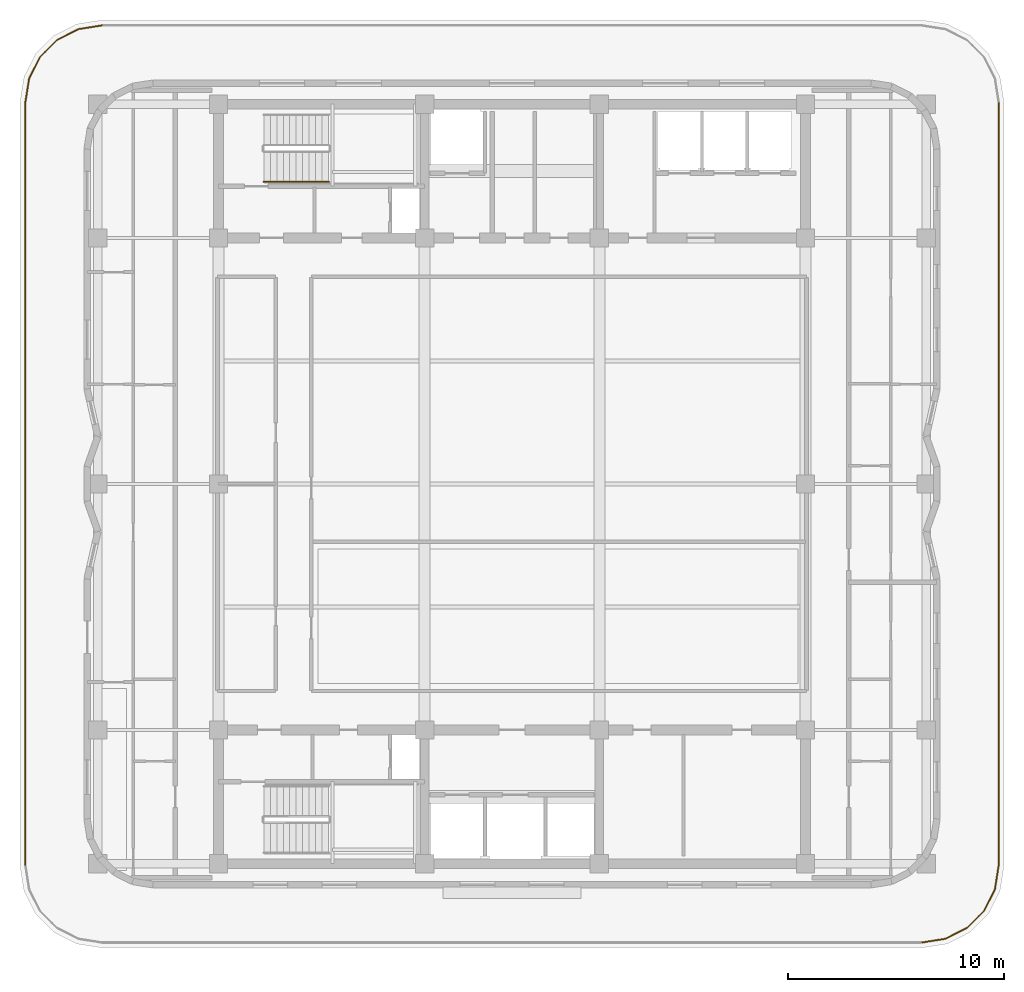
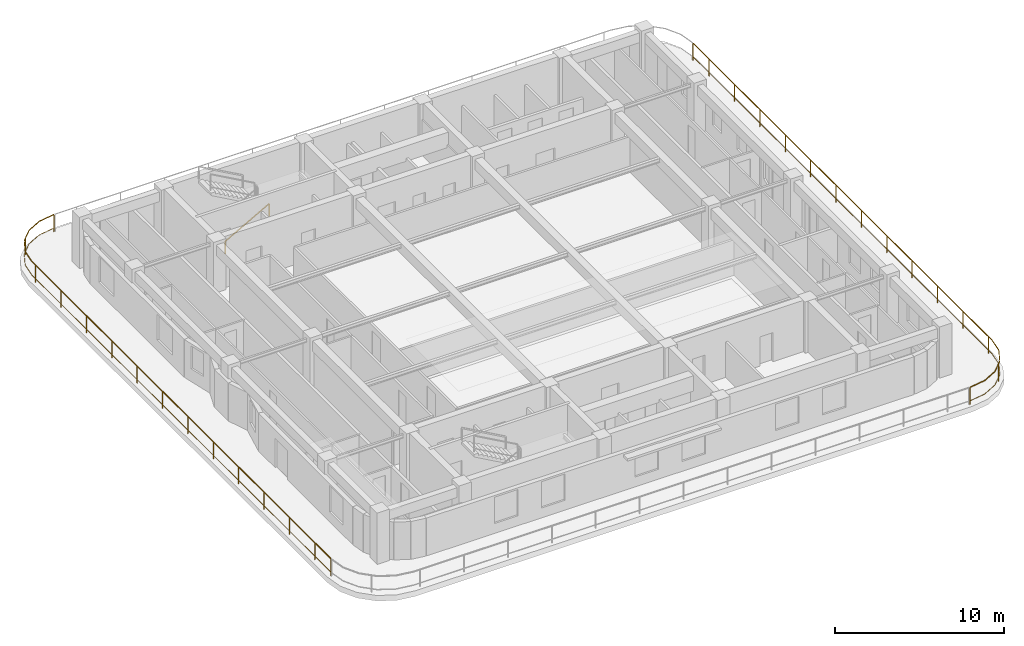
# One storey, part 8 of 9: 3 railings.
"""IFC4 building model written with IfcOpenShell, lengths in metres."""

import ifcopenshell
import ifcopenshell.guid

model = None  # the IFC model being written
_history = None  # IfcOwnerHistory: only IFC2X3 demands one
_inside = {}  # id of a spatial element -> (the spatial element, [elements in it])
_under = {}  # id of a project, library or spatial element -> (it, [spatial elements below it])
_declared = {}  # id of a project -> (the project, [libraries it declares])
_typed = {}  # id of a type object -> (the type object, [elements of that type])
_made_of = {}  # id of a material, layer set ... -> (it, [elements and type objects made of it])


def new_model(schema):
    """Start an empty IFC model of exactly this schema.

    Asked for "IFC4X3", IfcOpenShell would pick the latest addendum, in which some entities
    have other attributes; the version numbers below select the first issue.
    IFC2X3 requires an IfcOwnerHistory on every rooted entity: one is made here for all.
    """
    global model, _history
    if schema == "IFC4X3":
        model = ifcopenshell.file(schema_version=(4, 3, 0, 0))
    else:
        model = ifcopenshell.file(schema=schema)
    _inside.clear()
    _under.clear()
    _declared.clear()
    _typed.clear()
    _made_of.clear()
    _history = None
    if model.schema == "IFC2X3":
        org = make("IfcOrganization", Name="unknown")
        user = make(
            "IfcPersonAndOrganization",
            ThePerson=make("IfcPerson", FamilyName="unknown"),
            TheOrganization=org,
        )
        app = make(
            "IfcApplication",
            ApplicationDeveloper=org,
            Version="unknown",
            ApplicationFullName="unknown",
            ApplicationIdentifier="unknown",
        )
        _history = make(
            "IfcOwnerHistory",
            OwningUser=user,
            OwningApplication=app,
            ChangeAction="ADDED",
            CreationDate=0,
        )
    return model


def make(cls, **values):
    """One entity of the class cls with the attributes given. An attribute that is None is left unset."""
    return model.create_entity(
        cls, **{name: value for name, value in values.items() if value is not None}
    )


def rooted(cls, **values):
    """An entity with a GlobalId (a new one), such as an element, a storey or a relation."""
    return make(cls, GlobalId=ifcopenshell.guid.new(), OwnerHistory=_history, **values)


def si_unit(unit_type, name, prefix=None):
    """IfcSIUnit, for example si_unit("LENGTHUNIT", "METRE", prefix="MILLI")."""
    return make("IfcSIUnit", UnitType=unit_type, Prefix=prefix, Name=name)


def assignment(units):
    """IfcUnitAssignment: the units of a project."""
    return None if units is None else make("IfcUnitAssignment", Units=units)


def point(xyz):
    """IfcCartesianPoint."""
    return None if xyz is None else make("IfcCartesianPoint", Coordinates=xyz)


def direction(xyz):
    """IfcDirection."""
    return None if xyz is None else make("IfcDirection", DirectionRatios=xyz)


def frame(location, z_axis=None, x_axis=None):
    """IfcAxis2Placement3D, a coordinate frame: its origin and axes. An axis left out is left unset."""
    return make(
        "IfcAxis2Placement3D",
        Location=point(location),
        Axis=direction(z_axis),
        RefDirection=direction(x_axis),
    )


def frame_2d(location, x_axis=None):
    """IfcAxis2Placement2D, a coordinate frame in the plane: its origin and x axis."""
    return make(
        "IfcAxis2Placement2D", Location=point(location), RefDirection=direction(x_axis)
    )


def origin():
    """The frame at (0, 0, 0) with its axes left unset."""
    return frame((0.0, 0.0, 0.0))


def origin_2d():
    """The frame at (0, 0) in the plane with its x axis left unset."""
    return frame_2d((0.0, 0.0))


def place(relative_to, where):
    """IfcLocalPlacement: puts the frame where relative to a parent placement (None: the world)."""
    return make(
        "IfcLocalPlacement", PlacementRelTo=relative_to, RelativePlacement=where
    )


def context(
    kind, dimensions, precision=None, world=None, true_north=None, identifier=None
):
    """IfcGeometricRepresentationContext, for example the 3D "Model" context."""
    return make(
        "IfcGeometricRepresentationContext",
        ContextIdentifier=identifier,
        ContextType=kind,
        CoordinateSpaceDimension=dimensions,
        Precision=precision,
        WorldCoordinateSystem=world,
        TrueNorth=true_north,
    )


def subcontext(parent, identifier, kind, view, scale=None):
    """IfcGeometricRepresentationSubContext, for example "Body" below "Model"."""
    return make(
        "IfcGeometricRepresentationSubContext",
        ContextIdentifier=identifier,
        ContextType=kind,
        ParentContext=parent,
        TargetScale=scale,
        TargetView=view,
    )


def project(units=None, contexts=None):
    """IfcProject with its units and contexts."""
    return rooted(
        "IfcProject",
        Name="project",
        RepresentationContexts=contexts,
        UnitsInContext=assignment(units),
    )


def spatial(cls, under=None, at=None, **own):
    """A site, building, storey or space (cls), placed at a placement, below another one or the project."""
    s = rooted(cls, ObjectPlacement=at, **own)
    if under is not None:
        _under.setdefault(under.id(), (under, []))[1].append(s)
    return s


def profile(cls, at=None, kind="AREA", **sizes):
    """A parametric profile (cls). Its sizes go by their IFC names, for example OverallWidth=200.0."""
    return make(cls, ProfileType=kind, Position=at, **sizes)


def rectangle(**sizes):
    """IfcRectangleProfileDef."""
    return profile("IfcRectangleProfileDef", **sizes)


def extrude(swept, where, along, depth):
    """IfcExtrudedAreaSolid: the profile swept, set in the frame where, extruded along a direction by depth."""
    return make(
        "IfcExtrudedAreaSolid",
        SweptArea=swept,
        Position=where,
        ExtrudedDirection=direction(along),
        Depth=depth,
    )


def shape(context_of_items, identifier, shape_type, items):
    """IfcShapeRepresentation: the items that make up one representation, for example the "Body"."""
    return make(
        "IfcShapeRepresentation",
        ContextOfItems=context_of_items,
        RepresentationIdentifier=identifier,
        RepresentationType=shape_type,
        Items=items,
    )


def material(Name=None, Category=None):
    """IfcMaterial."""
    return make("IfcMaterial", Name=Name, Category=Category)


def made_of(thing, what):
    """Note that an element or type object is made of a material, layer set ...; save() writes the relation."""
    if what is not None:
        _made_of.setdefault(what.id(), (what, []))[1].append(thing)
    return thing


def type_object(cls, material=None, **own):
    """A type object (cls), such as IfcWallType, which elements share."""
    return made_of(rooted(cls, **own), material)


def element(
    cls,
    number,
    at=None,
    inside=None,
    cuts=None,
    type_object=None,
    material=None,
    context=None,
    identifier="Body",
    shape_type=None,
    held_by="IfcProductDefinitionShape",
    body=None,
    shapes=None,
    **own,
):
    """One element of the class cls, such as IfcWall. Its Tag is "e" and its number.

    at: its placement. inside: the storey or other place that contains it. cuts: it is an
    opening in that element (IfcRelVoidsElement). A single representation is given by context,
    identifier, shape_type and body (its items); several are given by shapes. held_by: the class
    of the entity that holds the representations. save() writes the other relations.
    """
    e = rooted(cls, Tag="e%d" % number, ObjectPlacement=at, **own)
    if body is not None:
        shapes = [shape(context, identifier, shape_type, body)]
    if shapes is not None:
        e.Representation = make(held_by, Representations=shapes)
    if inside is not None:
        _inside.setdefault(inside.id(), (inside, []))[1].append(e)
    if cuts is not None:
        rooted(
            "IfcRelVoidsElement", RelatingBuildingElement=cuts, RelatedOpeningElement=e
        )
    if type_object is not None:
        _typed.setdefault(type_object.id(), (type_object, []))[1].append(e)
    return made_of(e, material)


def aggregate(whole, parts):
    """IfcRelAggregates: a whole, such as a stair, and the parts it consists of."""
    return rooted("IfcRelAggregates", RelatingObject=whole, RelatedObjects=parts)


def save(model, path):
    """Write the relations noted so far, then the file.

    IfcRelAggregates (storeys below a building ...), IfcRelContainedInSpatialStructure (elements
    in a storey), IfcRelDefinesByType, IfcRelAssociatesMaterial and IfcRelDeclares: one each for
    every whole, place, type object, material and project.
    """
    for whole, parts in _under.values():
        aggregate(whole, parts)
    for where, things in _inside.values():
        rooted(
            "IfcRelContainedInSpatialStructure",
            RelatedElements=things,
            RelatingStructure=where,
        )
    for kind, things in _typed.values():
        rooted("IfcRelDefinesByType", RelatedObjects=things, RelatingType=kind)
    for what, things in _made_of.values():
        rooted("IfcRelAssociatesMaterial", RelatedObjects=things, RelatingMaterial=what)
    for by, libraries in _declared.values():
        rooted("IfcRelDeclares", RelatingContext=by, RelatedDefinitions=libraries)
    model.write(path)


model = new_model("IFC4")

# Units and contexts
model_context = context("Model", 3, precision=1e-05, world=origin(), true_north=direction((0.0, 1.0)))
body_context = subcontext(model_context, "Body", "Model", "MODEL_VIEW")
ifc_project = project(units=[si_unit("LENGTHUNIT", "METRE"), si_unit("AREAUNIT", "SQUARE_METRE"), si_unit("VOLUMEUNIT", "CUBIC_METRE"), si_unit("PLANEANGLEUNIT", "RADIAN"), si_unit("MASSUNIT", "GRAM", prefix="KILO")], contexts=[model_context])

# Site, building, storey
site_placement = place(None, origin())
site = spatial("IfcSite", under=ifc_project, at=site_placement, CompositionType="ELEMENT")
building_placement = place(site_placement, origin())
building = spatial("IfcBuilding", under=site, at=building_placement, Name="Svetorya Sky Lyceum", CompositionType="ELEMENT")
storey_placement = place(building_placement, frame((0.0, 0.0, 225.800048828125)))
storey = spatial("IfcBuildingStorey", under=building, at=storey_placement, Name="L56", CompositionType="ELEMENT", Elevation=225.800048828125)

# Railings
ifc_material_1 = material(Name="Brushed stainless AISI 304 stair handrail")
railing_type_1 = type_object("IfcRailingType", Name="RL-STR-HAND-920", PredefinedType="HANDRAIL", material=ifc_material_1)
railing_1_placement = place(storey_placement, frame((27.699951171875, 42.199951171875, 0.168212890625)))
element("IfcRailing", 1, at=railing_1_placement, inside=storey, type_object=railing_type_1, Name="L56 ST-N stair handrail 1", PredefinedType="HANDRAIL", context=body_context, shape_type="SweptSolid", body=[
    extrude(rectangle(XDim=0.048095703125, YDim=0.048095703125, at=origin_2d()), frame((0.0, 0.0, 0.8759765625), z_axis=(0.872302573547, 0.0, 0.488966481656), x_axis=(0.0, 1.0, 0.0)), (0.0, 0.0, 1.0), 3.439208984375),
    extrude(rectangle(XDim=0.0419921875, YDim=0.0419921875, at=origin_2d()), origin(), (0.0, 0.0, 1.0), 0.851806640625),
    extrude(rectangle(XDim=0.0419921875, YDim=0.0419921875, at=origin_2d()), frame((3.0, 0.0, 1.681640625)), (0.0, 0.0, 1.0), 0.851806640625),
])
ifc_material_2 = material(Name="Bronze-anodized aluminium terrace guard", Category="aluminium")
railing_type_2 = type_object("IfcRailingType", Name="RL-TER-1250", PredefinedType="GUARDRAIL", material=ifc_material_2)
railing_2_placement = place(storey_placement, frame((58.199951171875, 6.949951171875, 0.0)))
element("IfcRailing", 2, at=railing_2_placement, inside=storey, type_object=railing_type_2, Name="L56 Setback Terrace Guard Quadrant 2", PredefinedType="GUARDRAIL", context=body_context, shape_type="SweptSolid", body=[
    extrude(rectangle(XDim=0.048095703125, YDim=0.048095703125, at=origin_2d()), frame((0.0, 0.0, 1.22607421875), z_axis=(0.987680857769, 0.156481702433, 0.0), x_axis=(-0.156481702433, 0.987680857769, 0.0)), (0.0, 0.0, 1.0), 1.11083984375),
    extrude(rectangle(XDim=0.02392578125, YDim=0.02392578125, at=origin_2d()), frame((0.0, 0.0, 0.25), z_axis=(0.987680857769, 0.156481702433, 0.0), x_axis=(-0.156481702433, 0.987680857769, 0.0)), (0.0, 0.0, 1.0), 1.11083984375),
    extrude(rectangle(XDim=0.048095703125, YDim=0.048095703125, at=origin_2d()), frame((1.09716796875, 0.173828125, 1.22607421875), z_axis=(0.891016007838, 0.453971886549, 0.0), x_axis=(-0.453971886549, 0.891016007838, 0.0)), (0.0, 0.0, 1.0), 1.110595703125),
    extrude(rectangle(XDim=0.02392578125, YDim=0.02392578125, at=origin_2d()), frame((1.09716796875, 0.173828125, 0.25), z_axis=(0.891016007838, 0.453971886549, 0.0), x_axis=(-0.453971886549, 0.891016007838, 0.0)), (0.0, 0.0, 1.0), 1.110595703125),
    extrude(rectangle(XDim=0.048095703125, YDim=0.048095703125, at=origin_2d()), frame((2.086669921875, 0.677978515625, 1.22607421875), z_axis=(0.707106781187, 0.707106781187, 0.0), x_axis=(-0.707106781187, 0.707106781187, 0.0)), (0.0, 0.0, 1.0), 1.11083984375),
    extrude(rectangle(XDim=0.02392578125, YDim=0.02392578125, at=origin_2d()), frame((2.086669921875, 0.677978515625, 0.25), z_axis=(0.707106781187, 0.707106781187, 0.0), x_axis=(-0.707106781187, 0.707106781187, 0.0)), (0.0, 0.0, 1.0), 1.11083984375),
    extrude(rectangle(XDim=0.048095703125, YDim=0.048095703125, at=origin_2d()), frame((2.8720703125, 1.46337890625, 1.22607421875), z_axis=(0.454057468202, 0.890972398882, 0.0), x_axis=(-0.890972398882, 0.454057468202, 0.0)), (0.0, 0.0, 1.0), 1.11083984375),
    extrude(rectangle(XDim=0.02392578125, YDim=0.02392578125, at=origin_2d()), frame((2.8720703125, 1.46337890625, 0.25), z_axis=(0.454057468202, 0.890972398882, 0.0), x_axis=(-0.890972398882, 0.454057468202, 0.0)), (0.0, 0.0, 1.0), 1.11083984375),
    extrude(rectangle(XDim=0.048095703125, YDim=0.048095703125, at=origin_2d()), frame((3.37646484375, 2.453125, 1.22607421875), z_axis=(0.156301225874, 0.987709434394, 0.0), x_axis=(-0.987709434394, 0.156301225874, 0.0)), (0.0, 0.0, 1.0), 1.110595703125),
    extrude(rectangle(XDim=0.02392578125, YDim=0.02392578125, at=origin_2d()), frame((3.37646484375, 2.453125, 0.25), z_axis=(0.156301225874, 0.987709434394, 0.0), x_axis=(-0.987709434394, 0.156301225874, 0.0)), (0.0, 0.0, 1.0), 1.110595703125),
    extrude(rectangle(XDim=0.048095703125, YDim=0.048095703125, at=origin_2d()), frame((3.550048828125, 3.550048828125, 1.22607421875), z_axis=(0.0, 1.0, 0.0), x_axis=(-1.0, 0.0, 0.0)), (0.0, 0.0, 1.0), 35.340087890625),
    extrude(rectangle(XDim=0.02392578125, YDim=0.02392578125, at=origin_2d()), frame((3.550048828125, 3.550048828125, 0.25), z_axis=(0.0, 1.0, 0.0), x_axis=(-1.0, 0.0, 0.0)), (0.0, 0.0, 1.0), 35.340087890625),
    extrude(rectangle(XDim=0.0419921875, YDim=0.0419921875, at=origin_2d()), origin(), (0.0, 0.0, 1.0), 1.201904296875),
    extrude(rectangle(XDim=0.0419921875, YDim=0.0419921875, at=origin_2d()), frame((2.63720703125, 1.228515625, 0.0)), (0.0, 0.0, 1.0), 1.201904296875),
    extrude(rectangle(XDim=0.0419921875, YDim=0.0419921875, at=origin_2d()), frame((3.550048828125, 3.99658203125, 0.0)), (0.0, 0.0, 1.0), 1.201904296875),
    extrude(rectangle(XDim=0.0419921875, YDim=0.0419921875, at=origin_2d()), frame((3.550048828125, 6.99658203125, 0.0)), (0.0, 0.0, 1.0), 1.201904296875),
    extrude(rectangle(XDim=0.0419921875, YDim=0.0419921875, at=origin_2d()), frame((3.550048828125, 9.99658203125, 0.0)), (0.0, 0.0, 1.0), 1.201904296875),
    extrude(rectangle(XDim=0.0419921875, YDim=0.0419921875, at=origin_2d()), frame((3.550048828125, 12.99658203125, 0.0)), (0.0, 0.0, 1.0), 1.201904296875),
    extrude(rectangle(XDim=0.0419921875, YDim=0.0419921875, at=origin_2d()), frame((3.550048828125, 15.99658203125, 0.0)), (0.0, 0.0, 1.0), 1.201904296875),
    extrude(rectangle(XDim=0.0419921875, YDim=0.0419921875, at=origin_2d()), frame((3.550048828125, 18.99658203125, 0.0)), (0.0, 0.0, 1.0), 1.201904296875),
    extrude(rectangle(XDim=0.0419921875, YDim=0.0419921875, at=origin_2d()), frame((3.550048828125, 21.99658203125, 0.0)), (0.0, 0.0, 1.0), 1.201904296875),
    extrude(rectangle(XDim=0.0419921875, YDim=0.0419921875, at=origin_2d()), frame((3.550048828125, 24.99658203125, 0.0)), (0.0, 0.0, 1.0), 1.201904296875),
    extrude(rectangle(XDim=0.0419921875, YDim=0.0419921875, at=origin_2d()), frame((3.550048828125, 27.99658203125, 0.0)), (0.0, 0.0, 1.0), 1.201904296875),
    extrude(rectangle(XDim=0.0419921875, YDim=0.0419921875, at=origin_2d()), frame((3.550048828125, 30.99658203125, 0.0)), (0.0, 0.0, 1.0), 1.201904296875),
    extrude(rectangle(XDim=0.0419921875, YDim=0.0419921875, at=origin_2d()), frame((3.550048828125, 33.99658203125, 0.0)), (0.0, 0.0, 1.0), 1.201904296875),
    extrude(rectangle(XDim=0.0419921875, YDim=0.0419921875, at=origin_2d()), frame((3.550048828125, 36.99658203125, 0.0)), (0.0, 0.0, 1.0), 1.201904296875),
    extrude(rectangle(XDim=0.0419921875, YDim=0.0419921875, at=origin_2d()), frame((3.550048828125, 38.89013671875, 0.0)), (0.0, 0.0, 1.0), 1.201904296875),
])
railing_3_placement = place(storey_placement, frame((20.199951171875, 49.449951171875, 0.0)))
element("IfcRailing", 3, at=railing_3_placement, inside=storey, type_object=railing_type_2, Name="L56 Setback Terrace Guard Quadrant 4", PredefinedType="GUARDRAIL", context=body_context, shape_type="SweptSolid", body=[
    extrude(rectangle(XDim=0.048095703125, YDim=0.048095703125, at=origin_2d()), frame((0.0, 0.0, 1.22607421875), z_axis=(-0.987709434394, -0.156301225874, 0.0), x_axis=(0.156301225874, -0.987709434394, 0.0)), (0.0, 0.0, 1.0), 1.110595703125),
    extrude(rectangle(XDim=0.02392578125, YDim=0.02392578125, at=origin_2d()), frame((0.0, 0.0, 0.25), z_axis=(-0.987709434394, -0.156301225874, 0.0), x_axis=(0.156301225874, -0.987709434394, 0.0)), (0.0, 0.0, 1.0), 1.110595703125),
    extrude(rectangle(XDim=0.048095703125, YDim=0.048095703125, at=origin_2d()), frame((-1.096923828125, -0.173583984375, 1.22607421875), z_axis=(-0.890972398882, -0.454057468202, 0.0), x_axis=(0.454057468202, -0.890972398882, 0.0)), (0.0, 0.0, 1.0), 1.11083984375),
    extrude(rectangle(XDim=0.02392578125, YDim=0.02392578125, at=origin_2d()), frame((-1.096923828125, -0.173583984375, 0.25), z_axis=(-0.890972398882, -0.454057468202, 0.0), x_axis=(0.454057468202, -0.890972398882, 0.0)), (0.0, 0.0, 1.0), 1.11083984375),
    extrude(rectangle(XDim=0.048095703125, YDim=0.048095703125, at=origin_2d()), frame((-2.086669921875, -0.677978515625, 1.22607421875), z_axis=(-0.707106781187, -0.707106781187, 0.0), x_axis=(0.707106781187, -0.707106781187, 0.0)), (0.0, 0.0, 1.0), 1.11083984375),
    extrude(rectangle(XDim=0.02392578125, YDim=0.02392578125, at=origin_2d()), frame((-2.086669921875, -0.677978515625, 0.25), z_axis=(-0.707106781187, -0.707106781187, 0.0), x_axis=(0.707106781187, -0.707106781187, 0.0)), (0.0, 0.0, 1.0), 1.11083984375),
    extrude(rectangle(XDim=0.048095703125, YDim=0.048095703125, at=origin_2d()), frame((-2.8720703125, -1.46337890625, 1.22607421875), z_axis=(-0.453971886549, -0.891016007838, 0.0), x_axis=(0.891016007838, -0.453971886549, 0.0)), (0.0, 0.0, 1.0), 1.110595703125),
    extrude(rectangle(XDim=0.02392578125, YDim=0.02392578125, at=origin_2d()), frame((-2.8720703125, -1.46337890625, 0.25), z_axis=(-0.453971886549, -0.891016007838, 0.0), x_axis=(0.891016007838, -0.453971886549, 0.0)), (0.0, 0.0, 1.0), 1.110595703125),
    extrude(rectangle(XDim=0.048095703125, YDim=0.048095703125, at=origin_2d()), frame((-3.376220703125, -2.452880859375, 1.22607421875), z_axis=(-0.156481702433, -0.987680857769, 0.0), x_axis=(0.987680857769, -0.156481702433, 0.0)), (0.0, 0.0, 1.0), 1.11083984375),
    extrude(rectangle(XDim=0.02392578125, YDim=0.02392578125, at=origin_2d()), frame((-3.376220703125, -2.452880859375, 0.25), z_axis=(-0.156481702433, -0.987680857769, 0.0), x_axis=(0.987680857769, -0.156481702433, 0.0)), (0.0, 0.0, 1.0), 1.11083984375),
    extrude(rectangle(XDim=0.048095703125, YDim=0.048095703125, at=origin_2d()), frame((-3.550048828125, -3.550048828125, 1.22607421875), z_axis=(0.0, -1.0, 0.0), x_axis=(1.0, 0.0, 0.0)), (0.0, 0.0, 1.0), 35.33984375),
    extrude(rectangle(XDim=0.02392578125, YDim=0.02392578125, at=origin_2d()), frame((-3.550048828125, -3.550048828125, 0.25), z_axis=(0.0, -1.0, 0.0), x_axis=(1.0, 0.0, 0.0)), (0.0, 0.0, 1.0), 35.33984375),
    extrude(rectangle(XDim=0.0419921875, YDim=0.0419921875, at=origin_2d()), origin(), (0.0, 0.0, 1.0), 1.201904296875),
    extrude(rectangle(XDim=0.0419921875, YDim=0.0419921875, at=origin_2d()), frame((-2.63720703125, -1.228515625, 0.0)), (0.0, 0.0, 1.0), 1.201904296875),
    extrude(rectangle(XDim=0.0419921875, YDim=0.0419921875, at=origin_2d()), frame((-3.550048828125, -3.99658203125, 0.0)), (0.0, 0.0, 1.0), 1.201904296875),
    extrude(rectangle(XDim=0.0419921875, YDim=0.0419921875, at=origin_2d()), frame((-3.550048828125, -6.99658203125, 0.0)), (0.0, 0.0, 1.0), 1.201904296875),
    extrude(rectangle(XDim=0.0419921875, YDim=0.0419921875, at=origin_2d()), frame((-3.550048828125, -9.99658203125, 0.0)), (0.0, 0.0, 1.0), 1.201904296875),
    extrude(rectangle(XDim=0.0419921875, YDim=0.0419921875, at=origin_2d()), frame((-3.550048828125, -12.99658203125, 0.0)), (0.0, 0.0, 1.0), 1.201904296875),
    extrude(rectangle(XDim=0.0419921875, YDim=0.0419921875, at=origin_2d()), frame((-3.550048828125, -15.99658203125, 0.0)), (0.0, 0.0, 1.0), 1.201904296875),
    extrude(rectangle(XDim=0.0419921875, YDim=0.0419921875, at=origin_2d()), frame((-3.550048828125, -18.99658203125, 0.0)), (0.0, 0.0, 1.0), 1.201904296875),
    extrude(rectangle(XDim=0.0419921875, YDim=0.0419921875, at=origin_2d()), frame((-3.550048828125, -21.99658203125, 0.0)), (0.0, 0.0, 1.0), 1.201904296875),
    extrude(rectangle(XDim=0.0419921875, YDim=0.0419921875, at=origin_2d()), frame((-3.550048828125, -24.99658203125, 0.0)), (0.0, 0.0, 1.0), 1.201904296875),
    extrude(rectangle(XDim=0.0419921875, YDim=0.0419921875, at=origin_2d()), frame((-3.550048828125, -27.99658203125, 0.0)), (0.0, 0.0, 1.0), 1.201904296875),
    extrude(rectangle(XDim=0.0419921875, YDim=0.0419921875, at=origin_2d()), frame((-3.550048828125, -30.99658203125, 0.0)), (0.0, 0.0, 1.0), 1.201904296875),
    extrude(rectangle(XDim=0.0419921875, YDim=0.0419921875, at=origin_2d()), frame((-3.550048828125, -33.99658203125, 0.0)), (0.0, 0.0, 1.0), 1.201904296875),
    extrude(rectangle(XDim=0.0419921875, YDim=0.0419921875, at=origin_2d()), frame((-3.550048828125, -36.99658203125, 0.0)), (0.0, 0.0, 1.0), 1.201904296875),
    extrude(rectangle(XDim=0.0419921875, YDim=0.0419921875, at=origin_2d()), frame((-3.550048828125, -38.889892578125, 0.0)), (0.0, 0.0, 1.0), 1.201904296875),
])

save(model, "model.ifc")
